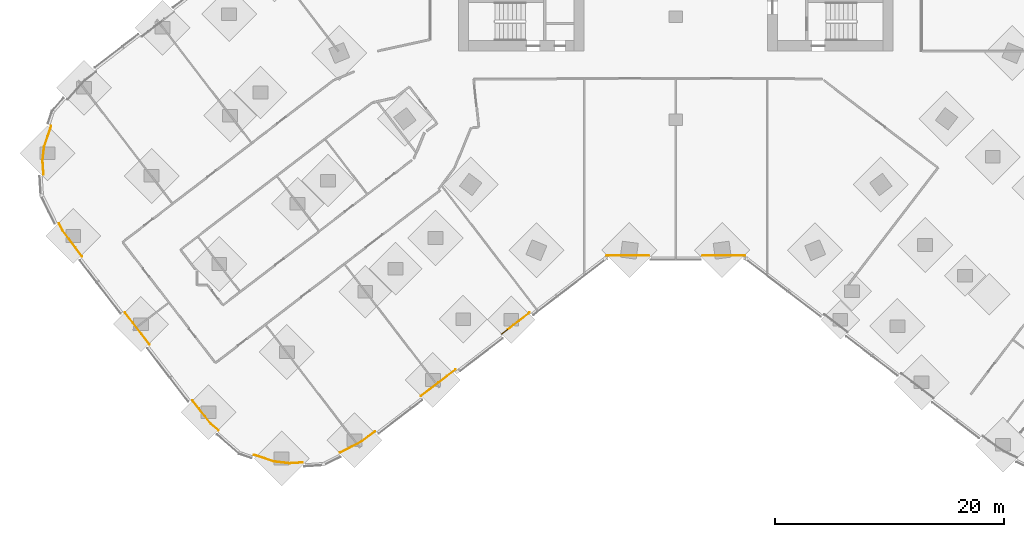
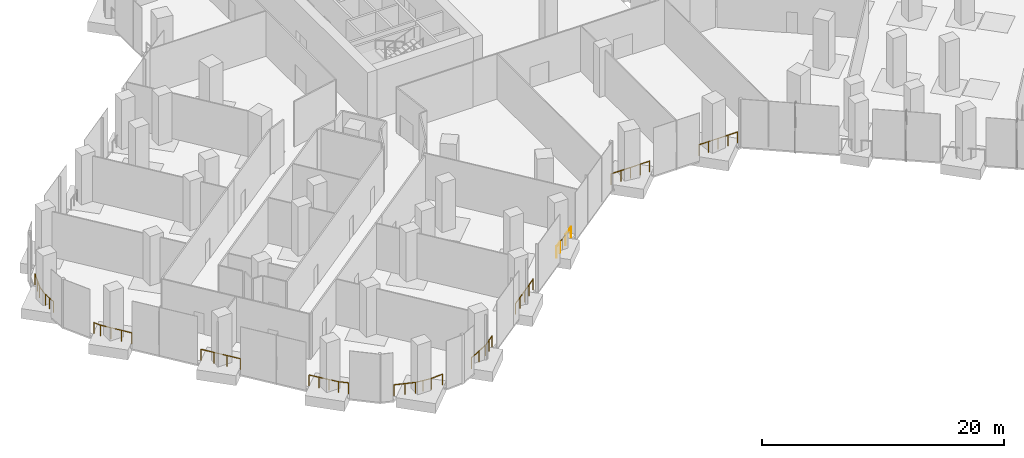
# One storey, part 24 of 27: 12 railings.
"""IFC4 building model written with IfcOpenShell, lengths in metres."""

from ifc_helpers import new_model, si_unit, direction, frame, origin, origin_2d, place, context, subcontext, project, spatial, circle, extrude, material, type_object, element, save


model = new_model("IFC4")

# Units and contexts
model_context = context("Model", 3, precision=1e-05, world=origin(), true_north=direction((0.0, 1.0)))
body_context = subcontext(model_context, "Body", "Model", "MODEL_VIEW")
ifc_project = project(units=[si_unit("LENGTHUNIT", "METRE"), si_unit("AREAUNIT", "SQUARE_METRE"), si_unit("VOLUMEUNIT", "CUBIC_METRE"), si_unit("PLANEANGLEUNIT", "RADIAN"), si_unit("MASSUNIT", "GRAM", prefix="KILO")], contexts=[model_context])

# Site, building, storey
site_placement = place(None, origin())
site = spatial("IfcSite", under=ifc_project, at=site_placement, CompositionType="ELEMENT")
building_placement = place(site_placement, origin())
building = spatial("IfcBuilding", under=site, at=building_placement, Name="Orlundy Tower", CompositionType="ELEMENT")
storey_placement = place(building_placement, frame((0.0, 0.0, 10.5)))
storey = spatial("IfcBuildingStorey", under=building, at=storey_placement, Name="L01", CompositionType="ELEMENT", Elevation=10.5)

# Railings
ifc_material = material(Name="Stainless steel bronze finish", Category="steel")
railing_type = type_object("IfcRailingType", Name="TG1 terrace guard", PredefinedType="GUARDRAIL", material=ifc_material)
railing_1_placement = place(storey_placement, frame((-55.2333984375, -22.770751953125, 0.0)))
element("IfcRailing", 1, at=railing_1_placement, inside=storey, type_object=railing_type, Name="Guard TG-L01-E00", PredefinedType="GUARDRAIL", context=body_context, shape_type="SweptSolid", body=[
    extrude(circle(Radius=0.02490234375, at=origin_2d()), frame((0.0, 0.0, 1.09521484375), z_axis=(-0.065168100005, 0.997874300071, 0.0), x_axis=(-0.997874300071, -0.065168100005, 0.0)), (0.0, 0.0, 1.0), 1.24755859375),
    extrude(circle(Radius=0.02490234375, at=origin_2d()), frame((-0.081298828125, 1.244873046875, 1.09521484375), z_axis=(0.114584425504, 0.993413513816, 0.0), x_axis=(-0.993413513816, 0.114584425504, 0.0)), (0.0, 0.0, 1.0), 1.16748046875),
    extrude(circle(Radius=0.02490234375, at=origin_2d()), frame((0.052490234375, 2.40478515625, 1.09521484375), z_axis=(0.321339141482, 0.946964178917, 0.0), x_axis=(-0.946964178917, 0.321339141482, 0.0)), (0.0, 0.0, 1.0), 1.91845703125),
    extrude(circle(Radius=0.02001953125, at=origin_2d()), origin(), (0.0, 0.0, 1.0), 1.070068359375),
    extrude(circle(Radius=0.02001953125, at=origin_2d()), frame((-0.04052734375, 0.62255859375, 0.0)), (0.0, 0.0, 1.0), 1.070068359375),
    extrude(circle(Radius=0.02001953125, at=origin_2d()), frame((-0.081298828125, 1.244873046875, 0.0)), (0.0, 0.0, 1.0), 1.070068359375),
    extrude(circle(Radius=0.02001953125, at=origin_2d()), frame((0.052490234375, 2.40478515625, 0.0)), (0.0, 0.0, 1.0), 1.070068359375),
    extrude(circle(Radius=0.02001953125, at=origin_2d()), frame((0.36083984375, 3.31298828125, 0.0)), (0.0, 0.0, 1.0), 1.070068359375),
    extrude(circle(Radius=0.02001953125, at=origin_2d()), frame((0.6689453125, 4.221435546875, 0.0)), (0.0, 0.0, 1.0), 1.070068359375),
])
railing_2_placement = place(storey_placement, frame((-32.61328125, -47.9423828125, 0.0)))
element("IfcRailing", 2, at=railing_2_placement, inside=storey, type_object=railing_type, Name="Guard TG-L01-E02", PredefinedType="GUARDRAIL", context=body_context, shape_type="SweptSolid", body=[
    extrude(circle(Radius=0.02490234375, at=origin_2d()), frame((0.0, 0.0, 1.09521484375), z_axis=(-0.997873786642, -0.065175961305, 0.0), x_axis=(0.065175961305, -0.997873786642, 0.0)), (0.0, 0.0, 1.0), 1.146240234375),
    extrude(circle(Radius=0.02490234375, at=origin_2d()), frame((-1.143798828125, -0.07470703125, 1.09521484375), z_axis=(-0.993094507397, 0.117317089025, 0.0), x_axis=(-0.117317089025, -0.993094507397, 0.0)), (0.0, 0.0, 1.0), 1.369384765625),
    extrude(circle(Radius=0.02490234375, at=origin_2d()), frame((-2.503662109375, 0.0859375, 1.09521484375), z_axis=(-0.946946521181, 0.321391172908, 0.0), x_axis=(-0.321391172908, -0.946946521181, 0.0)), (0.0, 0.0, 1.0), 1.81396484375),
    extrude(circle(Radius=0.02001953125, at=origin_2d()), origin(), (0.0, 0.0, 1.0), 1.070068359375),
    extrude(circle(Radius=0.02001953125, at=origin_2d()), frame((-1.143798828125, -0.07470703125, 0.0)), (0.0, 0.0, 1.0), 1.070068359375),
    extrude(circle(Radius=0.02001953125, at=origin_2d()), frame((-1.82373046875, 0.005615234375, 0.0)), (0.0, 0.0, 1.0), 1.070068359375),
    extrude(circle(Radius=0.02001953125, at=origin_2d()), frame((-2.503662109375, 0.0859375, 0.0)), (0.0, 0.0, 1.0), 1.070068359375),
    extrude(circle(Radius=0.02001953125, at=origin_2d()), frame((-3.362548828125, 0.37744140625, 0.0)), (0.0, 0.0, 1.0), 1.070068359375),
    extrude(circle(Radius=0.02001953125, at=origin_2d()), frame((-4.221435546875, 0.6689453125, 0.0)), (0.0, 0.0, 1.0), 1.070068359375),
])
railing_3_placement = place(storey_placement, frame((-19.22412109375, -39.8095703125, 0.0)))
element("IfcRailing", 3, at=railing_3_placement, inside=storey, type_object=railing_type, Name="Guard TG-L01-E04", PredefinedType="GUARDRAIL", context=body_context, shape_type="SweptSolid", body=[
    extrude(circle(Radius=0.02490234375, at=origin_2d()), frame((0.0, 0.0, 1.09521484375), z_axis=(-0.793367706976, -0.608742705523, 0.0), x_axis=(0.608742705523, -0.793367706976, 0.0)), (0.0, 0.0, 1.0), 3.804443359375),
    extrude(circle(Radius=0.02001953125, at=origin_2d()), origin(), (0.0, 0.0, 1.0), 1.070068359375),
    extrude(circle(Radius=0.02001953125, at=origin_2d()), frame((-0.754638671875, -0.5791015625, 0.0)), (0.0, 0.0, 1.0), 1.070068359375),
    extrude(circle(Radius=0.02001953125, at=origin_2d()), frame((-1.50927734375, -1.157958984375, 0.0)), (0.0, 0.0, 1.0), 1.070068359375),
    extrude(circle(Radius=0.02001953125, at=origin_2d()), frame((-2.263671875, -1.73681640625, 0.0)), (0.0, 0.0, 1.0), 1.070068359375),
    extrude(circle(Radius=0.02001953125, at=origin_2d()), frame((-3.018310546875, -2.31591796875, 0.0)), (0.0, 0.0, 1.0), 1.070068359375),
])
for number, where, name in (
    (4, (6.04296875, -29.8798828125, 0.0), "Guard TG-L01-E09"),
    (5, (-2.35302734375, -29.8798828125, 0.0), "Guard TG-L01-E010"),
):
    element("IfcRailing", number, at=place(storey_placement, frame(where)), inside=storey, type_object=railing_type, Name=name, PredefinedType="GUARDRAIL", context=body_context, shape_type="SweptSolid", body=[
        extrude(circle(Radius=0.02490234375, at=origin_2d()), frame((0.0, 0.0, 1.09521484375), z_axis=(-1.0, 0.0, 0.0), x_axis=(0.0, -1.0, 0.0)), (0.0, 0.0, 1.0), 3.68994140625),
        extrude(circle(Radius=0.02001953125, at=origin_2d()), origin(), (0.0, 0.0, 1.0), 1.070068359375),
        extrude(circle(Radius=0.02001953125, at=origin_2d()), frame((-0.92236328125, 0.0, 0.0)), (0.0, 0.0, 1.0), 1.070068359375),
        extrude(circle(Radius=0.02001953125, at=origin_2d()), frame((-1.844970703125, 0.0, 0.0)), (0.0, 0.0, 1.0), 1.070068359375),
        extrude(circle(Radius=0.02001953125, at=origin_2d()), frame((-2.767578125, 0.0, 0.0)), (0.0, 0.0, 1.0), 1.070068359375),
        extrude(circle(Radius=0.02001953125, at=origin_2d()), frame((-3.68994140625, 0.0, 0.0)), (0.0, 0.0, 1.0), 1.070068359375),
    ])
railing_4_placement = place(storey_placement, frame((-26.288330078125, -45.230224609375, 0.0)))
element("IfcRailing", 6, at=railing_4_placement, inside=storey, type_object=railing_type, Name="Guard TG-L01-E011", PredefinedType="GUARDRAIL", context=body_context, shape_type="SweptSolid", body=[
    extrude(circle(Radius=0.02490234375, at=origin_2d()), frame((0.0, 0.0, 1.09521484375), z_axis=(-0.793445323463, -0.60864153545, 0.0), x_axis=(0.60864153545, -0.793445323463, 0.0)), (0.0, 0.0, 1.0), 1.39111328125),
    extrude(circle(Radius=0.02490234375, at=origin_2d()), frame((-1.103759765625, -0.8466796875, 1.09521484375), z_axis=(-0.878728350595, -0.477322203401, 0.0), x_axis=(0.477322203401, -0.878728350595, 0.0)), (0.0, 0.0, 1.0), 1.029052734375),
    extrude(circle(Radius=0.02490234375, at=origin_2d()), frame((-2.008056640625, -1.337890625, 1.09521484375), z_axis=(-0.896904713413, -0.442223851752, 0.0), x_axis=(0.442223851752, -0.896904713413, 0.0)), (0.0, 0.0, 1.0), 1.13671875),
    extrude(circle(Radius=0.02001953125, at=origin_2d()), origin(), (0.0, 0.0, 1.0), 1.070068359375),
    extrude(circle(Radius=0.02001953125, at=origin_2d()), frame((-0.5517578125, -0.42333984375, 0.0)), (0.0, 0.0, 1.0), 1.070068359375),
    extrude(circle(Radius=0.02001953125, at=origin_2d()), frame((-1.103759765625, -0.8466796875, 0.0)), (0.0, 0.0, 1.0), 1.070068359375),
    extrude(circle(Radius=0.02001953125, at=origin_2d()), frame((-2.008056640625, -1.337890625, 0.0)), (0.0, 0.0, 1.0), 1.070068359375),
    extrude(circle(Radius=0.02001953125, at=origin_2d()), frame((-3.027587890625, -1.840576171875, 0.0)), (0.0, 0.0, 1.0), 1.070068359375),
])
railing_5_placement = place(storey_placement, frame((-45.968017578125, -37.636474609375, 0.0)))
element("IfcRailing", 7, at=railing_5_placement, inside=storey, type_object=railing_type, Name="Guard TG-L01-E013", PredefinedType="GUARDRAIL", context=body_context, shape_type="SweptSolid", body=[
    extrude(circle(Radius=0.02490234375, at=origin_2d()), frame((0.0, 0.0, 1.09521484375), z_axis=(-0.608765177462, 0.793350463988, 0.0), x_axis=(-0.793350463988, -0.608765177462, 0.0)), (0.0, 0.0, 1.0), 3.53271484375),
    extrude(circle(Radius=0.02001953125, at=origin_2d()), origin(), (0.0, 0.0, 1.0), 1.070068359375),
    extrude(circle(Radius=0.02001953125, at=origin_2d()), frame((-0.716796875, 0.934326171875, 0.0)), (0.0, 0.0, 1.0), 1.070068359375),
    extrude(circle(Radius=0.02001953125, at=origin_2d()), frame((-1.433837890625, 1.868408203125, 0.0)), (0.0, 0.0, 1.0), 1.070068359375),
    extrude(circle(Radius=0.02001953125, at=origin_2d()), frame((-2.150634765625, 2.802734375, 0.0)), (0.0, 0.0, 1.0), 1.070068359375),
])
railing_6_placement = place(storey_placement, frame((-51.872314453125, -29.941650390625, 0.0)))
element("IfcRailing", 8, at=railing_6_placement, inside=storey, type_object=railing_type, Name="Guard TG-L01-E018", PredefinedType="GUARDRAIL", context=body_context, shape_type="SweptSolid", body=[
    extrude(circle(Radius=0.02490234375, at=origin_2d()), frame((0.0, 0.0, 1.09521484375), z_axis=(-0.598504833281, 0.801119194963, 0.0), x_axis=(-0.801119194963, -0.598504833281, 0.0)), (0.0, 0.0, 1.0), 2.849609375),
    extrude(circle(Radius=0.02490234375, at=origin_2d()), frame((-1.70556640625, 2.282958984375, 1.09521484375), z_axis=(-0.442001632111, 0.897014245824, 0.0), x_axis=(-0.897014245824, -0.442001632111, 0.0)), (0.0, 0.0, 1.0), 0.65673828125),
    extrude(circle(Radius=0.02001953125, at=origin_2d()), origin(), (0.0, 0.0, 1.0), 1.070068359375),
    extrude(circle(Radius=0.02001953125, at=origin_2d()), frame((-0.568603515625, 0.760986328125, 0.0)), (0.0, 0.0, 1.0), 1.070068359375),
    extrude(circle(Radius=0.02001953125, at=origin_2d()), frame((-1.136962890625, 1.52197265625, 0.0)), (0.0, 0.0, 1.0), 1.070068359375),
    extrude(circle(Radius=0.02001953125, at=origin_2d()), frame((-1.70556640625, 2.282958984375, 0.0)), (0.0, 0.0, 1.0), 1.070068359375),
    extrude(circle(Radius=0.02001953125, at=origin_2d()), frame((-1.995849609375, 2.8720703125, 0.0)), (0.0, 0.0, 1.0), 1.070068359375),
])
railing_7_placement = place(storey_placement, frame((-39.965087890625, -45.135986328125, 0.0)))
element("IfcRailing", 9, at=railing_7_placement, inside=storey, type_object=railing_type, Name="Guard TG-L01-E020", PredefinedType="GUARDRAIL", context=body_context, shape_type="SweptSolid", body=[
    extrude(circle(Radius=0.02490234375, at=origin_2d()), frame((0.0, 0.0, 1.09521484375), z_axis=(-0.751748788132, 0.659449588325, 0.0), x_axis=(-0.659449588325, -0.751748788132, 0.0)), (0.0, 0.0, 1.0), 0.822509765625),
    extrude(circle(Radius=0.02490234375, at=origin_2d()), frame((-0.618408203125, 0.54248046875, 1.09521484375), z_axis=(-0.619746620326, 0.784801966482, 0.0), x_axis=(-0.784801966482, -0.619746620326, 0.0)), (0.0, 0.0, 1.0), 2.6298828125),
    extrude(circle(Radius=0.02001953125, at=origin_2d()), origin(), (0.0, 0.0, 1.0), 1.070068359375),
    extrude(circle(Radius=0.02001953125, at=origin_2d()), frame((-0.618408203125, 0.54248046875, 0.0)), (0.0, 0.0, 1.0), 1.070068359375),
    extrude(circle(Radius=0.02001953125, at=origin_2d()), frame((-1.16162109375, 1.23046875, 0.0)), (0.0, 0.0, 1.0), 1.070068359375),
    extrude(circle(Radius=0.02001953125, at=origin_2d()), frame((-1.705078125, 1.91845703125, 0.0)), (0.0, 0.0, 1.0), 1.070068359375),
    extrude(circle(Radius=0.02001953125, at=origin_2d()), frame((-2.248291015625, 2.6064453125, 0.0)), (0.0, 0.0, 1.0), 1.070068359375),
])
railing_8_placement = place(storey_placement, frame((-13.69091796875, -35.563720703125, 0.0)))
element("IfcRailing", 10, at=railing_8_placement, inside=storey, type_object=railing_type, Name="Guard TG-L01-E035", PredefinedType="GUARDRAIL", context=body_context, shape_type="SweptSolid", body=[
    extrude(circle(Radius=0.02490234375, at=origin_2d()), frame((0.0, 0.0, 1.09521484375), z_axis=(-0.793383638054, -0.608721942161, 0.0), x_axis=(0.608721942161, -0.793383638054, 0.0)), (0.0, 0.0, 1.0), 1.217529296875),
    extrude(circle(Radius=0.02001953125, at=origin_2d()), origin(), (0.0, 0.0, 1.0), 1.070068359375),
    extrude(circle(Radius=0.02001953125, at=origin_2d()), frame((-0.48291015625, -0.37060546875, 0.0)), (0.0, 0.0, 1.0), 1.070068359375),
    extrude(circle(Radius=0.02001953125, at=origin_2d()), frame((-0.966064453125, -0.7412109375, 0.0)), (0.0, 0.0, 1.0), 1.070068359375),
])
railing_9_placement = place(storey_placement, frame((-12.770263671875, -34.857421875, 0.0)))
element("IfcRailing", 11, at=railing_9_placement, inside=storey, type_object=railing_type, Name="Guard TG-L01-E036", PredefinedType="GUARDRAIL", context=body_context, shape_type="SweptSolid", body=[
    extrude(circle(Radius=0.02490234375, at=origin_2d()), frame((0.0, 0.0, 1.09521484375), z_axis=(-0.793413296424, -0.608683284687, 0.0), x_axis=(0.608683284687, -0.793413296424, 0.0)), (0.0, 0.0, 1.0), 1.160400390625),
    extrude(circle(Radius=0.02001953125, at=origin_2d()), origin(), (0.0, 0.0, 1.0), 1.070068359375),
    extrude(circle(Radius=0.02001953125, at=origin_2d()), frame((-0.920654296875, -0.706298828125, 0.0)), (0.0, 0.0, 1.0), 1.070068359375),
])
railing_10_placement = place(storey_placement, frame((-14.656982421875, -36.304931640625, 0.0)))
element("IfcRailing", 12, at=railing_10_placement, inside=storey, type_object=railing_type, Name="Guard TG-L01-E039", PredefinedType="GUARDRAIL", context=body_context, shape_type="SweptSolid", body=[
    extrude(circle(Radius=0.02490234375, at=origin_2d()), frame((0.0, 0.0, 1.09521484375), z_axis=(-0.793219322038, -0.608936045201, 0.0), x_axis=(0.608936045201, -0.793219322038, 0.0)), (0.0, 0.0, 1.0), 0.700927734375),
    extrude(circle(Radius=0.02001953125, at=origin_2d()), origin(), (0.0, 0.0, 1.0), 1.070068359375),
    extrude(circle(Radius=0.02001953125, at=origin_2d()), frame((-0.555908203125, -0.4267578125, 0.0)), (0.0, 0.0, 1.0), 1.070068359375),
])

save(model, "model.ifc")
